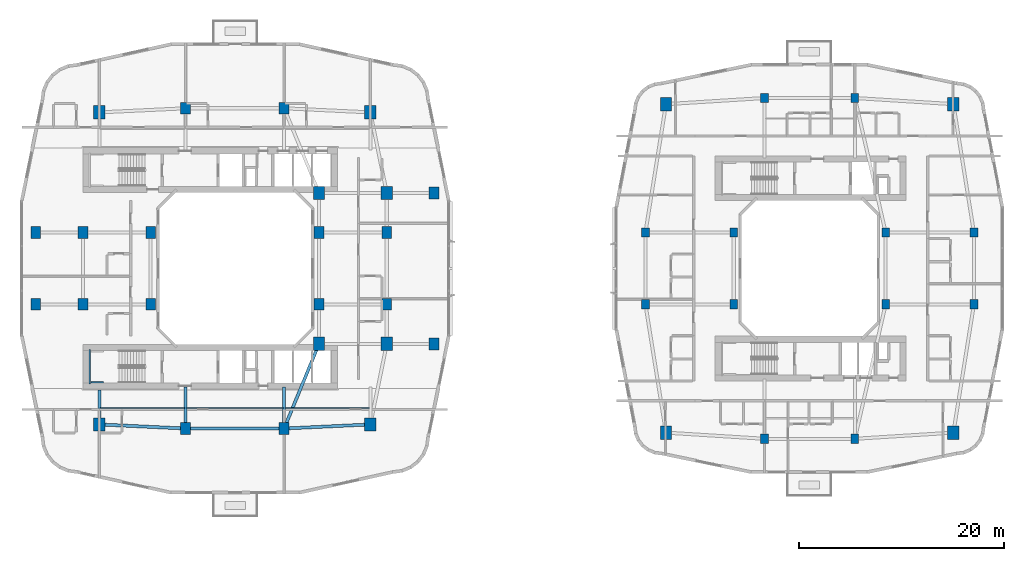
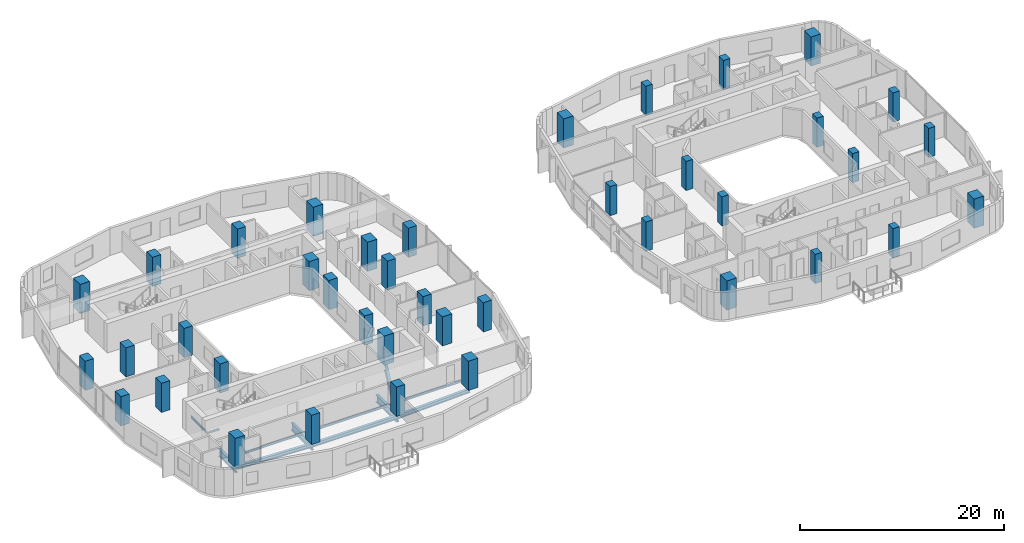
# One storey, part 1 of 22: 40 columns, 12 beams.
"""IFC4 building model written with IfcOpenShell, lengths in metres."""

from ifc_helpers import new_model, si_unit, derived_unit, direction, frame, origin, origin_2d, place, context, subcontext, project, spatial, rectangle, i_section, extrude, material, material_profile, profile_set, type_object, element, save


model = new_model("IFC4")

# Units and contexts
model_context = context("Model", 3, precision=1e-05, world=origin(), true_north=direction((0.0, 1.0)))
body_context = subcontext(model_context, "Body", "Model", "MODEL_VIEW")
ifc_project = project(units=[si_unit("LENGTHUNIT", "METRE"), si_unit("AREAUNIT", "SQUARE_METRE"), si_unit("VOLUMEUNIT", "CUBIC_METRE"), si_unit("PLANEANGLEUNIT", "RADIAN"), si_unit("MASSUNIT", "GRAM", prefix="KILO"), derived_unit("THERMALTRANSMITTANCEUNIT", [(si_unit("POWERUNIT", "WATT"), 1), (si_unit("LENGTHUNIT", "METRE"), -2), (si_unit("THERMODYNAMICTEMPERATUREUNIT", "KELVIN"), -1)])], contexts=[model_context])

# Site, building, storey
site_placement = place(None, origin())
site = spatial("IfcSite", under=ifc_project, at=site_placement, CompositionType="ELEMENT")
building_placement = place(site_placement, origin())
building = spatial("IfcBuilding", under=site, at=building_placement, Name="Kivonza Crest Hotel", CompositionType="ELEMENT")
storey_placement = place(building_placement, frame((0.0, 0.0, 27.5)))
storey = spatial("IfcBuildingStorey", under=building, at=storey_placement, Name="L06", CompositionType="ELEMENT", Elevation=27.5)

# Columns
ifc_material_1 = material(Name="Concrete C60/75", Category="concrete")
ifc_material_profile_1 = material_profile(ifc_material_1, rectangle(XDim=0.949951171875, YDim=1.14990234375, at=origin_2d()), Name="RC 1150x950")
ifc_profile_set_1 = profile_set([ifc_material_profile_1], Name="Concrete C60/75")
column_type_1 = type_object("IfcColumnType", Name="CL-RC-1150x950", PredefinedType="COLUMN", material=ifc_profile_set_1)
for number, where, z_axis, x_axis, name in (
    (1, (16.199951171875, 9.39990234375, 0.0), (0.0, 0.0, 1.0), (1.0, 0.0, 0.0), "Tower T1 L06 column S1"),
    (2, (25.800048828125, 9.39990234375, 0.0), (0.0, 0.0, 1.0), (1.0, 0.0, 0.0), "Tower T1 L06 column S2"),
    (3, (16.199951171875, 40.60009765625, 0.0), (0.0, 0.0, 1.0), (1.0, 0.0, 0.0), "Tower T1 L06 column N1"),
    (4, (25.800048828125, 40.60009765625, 0.0), (0.0, 0.0, 1.0), (1.0, 0.0, 0.0), "Tower T1 L06 column N2"),
    (5, (6.199951171875, 21.5, 0.0), (0.0, 0.0, 1.0), (1.0, 0.0, 0.0), "Tower T1 L06 column W1"),
    (6, (6.199951171875, 28.5, 0.0), (0.0, 0.0, 1.0), (1.0, 0.0, 0.0), "Tower T1 L06 column W2"),
    (7, (35.800048828125, 21.5, 0.0), (0.0, 0.0, 1.0), (1.0, 0.0, 0.0), "Tower T1 L06 column E1"),
    (8, (35.800048828125, 28.5, 0.0), (0.0, 0.0, 1.0), (1.0, 0.0, 0.0), "Tower T1 L06 column E2"),
    (9, (12.800048828125, 21.5, 0.0), (0.0, 0.0, 1.0), (1.0, 0.0, 0.0), "Tower T1 L06 column WL1"),
    (10, (12.800048828125, 28.5, 0.0), (0.0, 0.0, 1.0), (1.0, 0.0, 0.0), "Tower T1 L06 column WL2"),
    (11, (29.199951171875, 21.5, 0.0), (0.0, 0.0, 1.0), (1.0, 0.0, 0.0), "Tower T1 L06 column WR1"),
    (12, (29.199951171875, 28.5, 0.0), (0.0, 0.0, 1.0), (1.0, 0.0, 0.0), "Tower T1 L06 column WR2"),
    (13, (1.60009765625, 21.5, 0.0), (0.0, 0.0, 1.0), (1.0, 0.0, 0.0), "Tower T1 L06 column Z1W1"),
    (14, (1.60009765625, 28.5, 0.0), (0.0, 0.0, 1.0), (1.0, 0.0, 0.0), "Tower T1 L06 column Z1W2"),
    (15, (40.39990234375, 17.64990234375, 0.0), (0.0, 0.0, 1.0), (1.0, 0.0, 0.0), "Tower T1 L06 column Z1E1"),
    (16, (40.39990234375, 32.35009765625, 0.0), (0.0, 0.0, 1.0), (1.0, 0.0, 0.0), "Tower T1 L06 column Z1E2"),
):
    element("IfcColumn", number, at=place(storey_placement, frame(where, z_axis=z_axis, x_axis=x_axis)), inside=storey, type_object=column_type_1, Name=name, PredefinedType="COLUMN", context=body_context, shape_type="SweptSolid", body=[
        extrude(rectangle(XDim=0.949951171875, YDim=1.14990234375, at=origin_2d()), origin(), (0.0, 0.0, 1.0), 3.5),
    ])
ifc_material_profile_2 = material_profile(ifc_material_1, rectangle(XDim=1.10009765625, YDim=1.300048828125, at=origin_2d()), Name="RC 1300x1100")
ifc_profile_set_2 = profile_set([ifc_material_profile_2], Name="Concrete C60/75")
column_type_2 = type_object("IfcColumnType", Name="CL-RC-1300x1100", PredefinedType="COLUMN", material=ifc_profile_set_2)
for number, where, z_axis, x_axis, name in (
    (17, (7.800048828125, 9.800048828125, 0.0), (0.0, 0.0, 1.0), (1.0, 0.0, 0.0), "Tower T1 L06 column SW"),
    (18, (34.199951171875, 9.800048828125, 0.0), (0.0, 0.0, 1.0), (1.0, 0.0, 0.0), "Tower T1 L06 column SE"),
    (19, (34.199951171875, 40.199951171875, 0.0), (0.0, 0.0, 1.0), (1.0, 0.0, 0.0), "Tower T1 L06 column NE"),
    (20, (7.800048828125, 40.199951171875, 0.0), (0.0, 0.0, 1.0), (1.0, 0.0, 0.0), "Tower T1 L06 column NW"),
    (21, (35.800048828125, 17.64990234375, 0.0), (0.0, 0.0, 1.0), (1.0, 0.0, 0.0), "Tower T1 L06 column PSE"),
    (22, (35.800048828125, 32.35009765625, 0.0), (0.0, 0.0, 1.0), (1.0, 0.0, 0.0), "Tower T1 L06 column PNE"),
    (23, (29.199951171875, 17.64990234375, 0.0), (0.0, 0.0, 1.0), (1.0, 0.0, 0.0), "Tower T1 L06 column TSE"),
    (24, (29.199951171875, 32.35009765625, 0.0), (0.0, 0.0, 1.0), (1.0, 0.0, 0.0), "Tower T1 L06 column TNE"),
    (25, (63.0, 9.0, 0.0), (0.0, 0.0, 1.0), (1.0, 0.0, 0.0), "Companion Tower T2 L06 column SW"),
    (26, (91.0, 9.0, 0.0), (0.0, 0.0, 1.0), (1.0, 0.0, 0.0), "Companion Tower T2 L06 column SE"),
    (27, (91.0, 41.0, 0.0), (0.0, 0.0, 1.0), (1.0, 0.0, 0.0), "Companion Tower T2 L06 column NE"),
    (28, (63.0, 41.0, 0.0), (0.0, 0.0, 1.0), (1.0, 0.0, 0.0), "Companion Tower T2 L06 column NW"),
):
    element("IfcColumn", number, at=place(storey_placement, frame(where, z_axis=z_axis, x_axis=x_axis)), inside=storey, type_object=column_type_2, Name=name, PredefinedType="COLUMN", context=body_context, shape_type="SweptSolid", body=[
        extrude(rectangle(XDim=1.10009765625, YDim=1.300048828125, at=origin_2d()), origin(), (0.0, 0.0, 1.0), 3.5),
    ])
ifc_material_2 = material(Name="Concrete C50/60", Category="concrete")
ifc_material_profile_3 = material_profile(ifc_material_2, rectangle(XDim=0.75, YDim=0.89990234375, at=origin_2d()), Name="RC 900x750")
ifc_profile_set_3 = profile_set([ifc_material_profile_3], Name="Concrete C50/60")
column_type_3 = type_object("IfcColumnType", Name="CL-RC-900x750", PredefinedType="COLUMN", material=ifc_profile_set_3)
for number, where, z_axis, x_axis, name in (
    (29, (72.60009765625, 8.39990234375, 0.0), (0.0, 0.0, 1.0), (1.0, 0.0, 0.0), "Companion Tower T2 L06 column S1"),
    (30, (81.39990234375, 8.39990234375, 0.0), (0.0, 0.0, 1.0), (1.0, 0.0, 0.0), "Companion Tower T2 L06 column S2"),
    (31, (72.60009765625, 41.60009765625, 0.0), (0.0, 0.0, 1.0), (1.0, 0.0, 0.0), "Companion Tower T2 L06 column N1"),
    (32, (81.39990234375, 41.60009765625, 0.0), (0.0, 0.0, 1.0), (1.0, 0.0, 0.0), "Companion Tower T2 L06 column N2"),
    (33, (61.0, 21.5, 0.0), (0.0, 0.0, 1.0), (1.0, 0.0, 0.0), "Companion Tower T2 L06 column W1"),
    (34, (61.0, 28.5, 0.0), (0.0, 0.0, 1.0), (1.0, 0.0, 0.0), "Companion Tower T2 L06 column W2"),
    (35, (93.0, 21.5, 0.0), (0.0, 0.0, 1.0), (1.0, 0.0, 0.0), "Companion Tower T2 L06 column E1"),
    (36, (93.0, 28.5, 0.0), (0.0, 0.0, 1.0), (1.0, 0.0, 0.0), "Companion Tower T2 L06 column E2"),
    (37, (69.60009765625, 21.5, 0.0), (0.0, 0.0, 1.0), (1.0, 0.0, 0.0), "Companion Tower T2 L06 column WL1"),
    (38, (69.60009765625, 28.5, 0.0), (0.0, 0.0, 1.0), (1.0, 0.0, 0.0), "Companion Tower T2 L06 column WL2"),
    (39, (84.39990234375, 21.5, 0.0), (0.0, 0.0, 1.0), (1.0, 0.0, 0.0), "Companion Tower T2 L06 column WR1"),
    (40, (84.39990234375, 28.5, 0.0), (0.0, 0.0, 1.0), (1.0, 0.0, 0.0), "Companion Tower T2 L06 column WR2"),
):
    element("IfcColumn", number, at=place(storey_placement, frame(where, z_axis=z_axis, x_axis=x_axis)), inside=storey, type_object=column_type_3, Name=name, PredefinedType="COLUMN", context=body_context, shape_type="SweptSolid", body=[
        extrude(rectangle(XDim=0.75, YDim=0.89990234375, at=origin_2d()), origin(), (0.0, 0.0, 1.0), 3.5),
    ])

# Beams
ifc_material_3 = material(Name="Steel S355", Category="steel")
ifc_material_profile_4 = material_profile(ifc_material_3, i_section(OverallWidth=0.300048828125, OverallDepth=0.449951171875, WebThickness=0.013916015625, FlangeThickness=0.02587890625, FilletRadius=0.027099609375, at=origin_2d()), Name="HEB 450")
ifc_profile_set_4 = profile_set([ifc_material_profile_4], Name="Steel S355")
beam_type_1 = type_object("IfcBeamType", Name="BM-HEB450", PredefinedType="SPANDREL", material=ifc_profile_set_4)
beam_1_placement = place(storey_placement, frame((16.199951171875, 9.39990234375, -0.5048828125), z_axis=(1.0, 0.0, 0.0), x_axis=(0.0, 1.0, 0.0)))
element("IfcBeam", 41, at=beam_1_placement, inside=storey, type_object=beam_type_1, Name="Tower T1 L06 perimeter spandrel S1-S2", PredefinedType="SPANDREL", context=body_context, shape_type="SweptSolid", body=[
    extrude(i_section(OverallWidth=0.300048828125, OverallDepth=0.449951171875, WebThickness=0.013916015625, FlangeThickness=0.02587890625, FilletRadius=0.027099609375, at=origin_2d()), origin(), (0.0, 0.0, 1.0), 9.60009765625),
])
for number, where, z_axis, x_axis, name in (
    (42, (25.800048828125, 9.39990234375, -0.5048828125), (0.998867283688, 0.047583080799, 0.0), (-0.047583080799, 0.998867283688, 0.0), "Tower T1 L06 perimeter spandrel S2-SE"),
    (43, (7.800048828125, 9.800048828125, -0.5048828125), (0.998867283688, -0.047583080799, 0.0), (0.047583080799, 0.998867283688, 0.0), "Tower T1 L06 perimeter spandrel SW-S1"),
):
    element("IfcBeam", number, at=place(storey_placement, frame(where, z_axis=z_axis, x_axis=x_axis)), inside=storey, type_object=beam_type_1, Name=name, PredefinedType="SPANDREL", context=body_context, shape_type="SweptSolid", body=[
        extrude(i_section(OverallWidth=0.300048828125, OverallDepth=0.449951171875, WebThickness=0.013916015625, FlangeThickness=0.02587890625, FilletRadius=0.027099609375, at=origin_2d()), origin(), (0.0, 0.0, 1.0), 8.409423828125),
    ])
ifc_material_profile_5 = material_profile(ifc_material_3, i_section(OverallWidth=0.300048828125, OverallDepth=0.89990234375, WebThickness=0.0185546875, FlangeThickness=0.034912109375, FilletRadius=0.030029296875, at=origin_2d()), Name="HEB 900")
ifc_profile_set_5 = profile_set([ifc_material_profile_5], Name="Steel S355")
beam_type_2 = type_object("IfcBeamType", Name="BM-HEB900", PredefinedType="BEAM", material=ifc_profile_set_5)
beam_2_placement = place(storey_placement, frame((25.800048828125, 9.39990234375, -0.72998046875), z_axis=(0.381022260404, 0.924565864109, 0.0), x_axis=(-0.924565864109, 0.381022260404, 0.0)))
element("IfcBeam", 44, at=beam_2_placement, inside=storey, type_object=beam_type_2, Name="Tower T1 L06 primary girder S1-TSE", PredefinedType="BEAM", context=body_context, shape_type="SweptSolid", body=[
    extrude(i_section(OverallWidth=0.300048828125, OverallDepth=0.89990234375, WebThickness=0.0185546875, FlangeThickness=0.034912109375, FilletRadius=0.030029296875, at=origin_2d()), origin(), (0.0, 0.0, 1.0), 8.923095703125),
])
beam_3_placement = place(storey_placement, frame((7.800048828125, 9.800048828125, -0.72998046875), z_axis=(0.0, 1.0, 0.0), x_axis=(-1.0, 0.0, 0.0)))
element("IfcBeam", 45, at=beam_3_placement, inside=storey, type_object=beam_type_2, Name="Tower T1 L06 radial core girder RSW", PredefinedType="BEAM", context=body_context, shape_type="SweptSolid", body=[
    extrude(i_section(OverallWidth=0.300048828125, OverallDepth=0.89990234375, WebThickness=0.0185546875, FlangeThickness=0.034912109375, FilletRadius=0.030029296875, at=origin_2d()), origin(), (0.0, 0.0, 1.0), 3.349853515625),
])
for number, where, z_axis, x_axis, name in (
    (46, (16.199951171875, 9.39990234375, -0.72998046875), (0.0, 1.0, 0.0), (-1.0, 0.0, 0.0), "Tower T1 L06 radial core girder RS1"),
    (47, (25.800048828125, 9.39990234375, -0.72998046875), (0.0, 1.0, 0.0), (-1.0, 0.0, 0.0), "Tower T1 L06 radial core girder RS2"),
):
    element("IfcBeam", number, at=place(storey_placement, frame(where, z_axis=z_axis, x_axis=x_axis)), inside=storey, type_object=beam_type_2, Name=name, PredefinedType="BEAM", context=body_context, shape_type="SweptSolid", body=[
        extrude(i_section(OverallWidth=0.300048828125, OverallDepth=0.89990234375, WebThickness=0.0185546875, FlangeThickness=0.034912109375, FilletRadius=0.030029296875, at=origin_2d()), origin(), (0.0, 0.0, 1.0), 4.050048828125),
    ])
ifc_material_profile_6 = material_profile(ifc_material_3, i_section(OverallWidth=0.1201171875, OverallDepth=0.239990234375, WebThickness=0.006103515625, FlangeThickness=0.009765625, FilletRadius=0.014892578125, at=origin_2d()), Name="IPE 240")
ifc_profile_set_6 = profile_set([ifc_material_profile_6], Name="Steel S355")
beam_type_3 = type_object("IfcBeamType", Name="BM-IPE240", PredefinedType="JOIST", material=ifc_profile_set_6)
beam_4_placement = place(storey_placement, frame((7.8798828125, 11.39990234375, -0.39990234375), z_axis=(1.0, 0.0, 0.0), x_axis=(0.0, 1.0, 0.0)))
element("IfcBeam", 48, at=beam_4_placement, inside=storey, type_object=beam_type_3, Name="Tower T1 L06 South-West floor joist", PredefinedType="JOIST", context=body_context, shape_type="SweptSolid", body=[
    extrude(i_section(OverallWidth=0.1201171875, OverallDepth=0.239990234375, WebThickness=0.006103515625, FlangeThickness=0.009765625, FilletRadius=0.014892578125, at=origin_2d()), origin(), (0.0, 0.0, 1.0), 8.240234375),
])
beam_5_placement = place(storey_placement, frame((16.280029296875, 11.39990234375, -0.39990234375), z_axis=(1.0, 0.0, 0.0), x_axis=(0.0, 1.0, 0.0)))
element("IfcBeam", 49, at=beam_5_placement, inside=storey, type_object=beam_type_3, Name="Tower T1 L06 South-Mid floor joist", PredefinedType="JOIST", context=body_context, shape_type="SweptSolid", body=[
    extrude(i_section(OverallWidth=0.1201171875, OverallDepth=0.239990234375, WebThickness=0.006103515625, FlangeThickness=0.009765625, FilletRadius=0.014892578125, at=origin_2d()), origin(), (0.0, 0.0, 1.0), 9.43994140625),
])
beam_6_placement = place(storey_placement, frame((25.8798828125, 11.39990234375, -0.39990234375), z_axis=(1.0, 0.0, 0.0), x_axis=(0.0, 1.0, 0.0)))
element("IfcBeam", 50, at=beam_6_placement, inside=storey, type_object=beam_type_3, Name="Tower T1 L06 South-East floor joist", PredefinedType="JOIST", context=body_context, shape_type="SweptSolid", body=[
    extrude(i_section(OverallWidth=0.1201171875, OverallDepth=0.239990234375, WebThickness=0.006103515625, FlangeThickness=0.009765625, FilletRadius=0.014892578125, at=origin_2d()), origin(), (0.0, 0.0, 1.0), 8.240234375),
])
ifc_material_profile_7 = material_profile(ifc_material_3, i_section(OverallWidth=0.1201171875, OverallDepth=0.239990234375, WebThickness=0.006103515625, FlangeThickness=0.009765625, FilletRadius=0.014892578125, at=origin_2d()), Name="IPE 240")
ifc_profile_set_7 = profile_set([ifc_material_profile_7], Name="Steel S355")
beam_type_4 = type_object("IfcBeamType", Name="BM-LLDG-240", PredefinedType="BEAM", material=ifc_profile_set_7)
beam_7_placement = place(storey_placement, frame((6.860107421875, 13.739990234375, 1.429931640625), z_axis=(0.0, 1.0, 0.0), x_axis=(-1.0, 0.0, 0.0)))
element("IfcBeam", 51, at=beam_7_placement, inside=storey, type_object=beam_type_4, Name="Stair ST-T1-S L06 West landing corbel", PredefinedType="BEAM", context=body_context, shape_type="SweptSolid", body=[
    extrude(i_section(OverallWidth=0.1201171875, OverallDepth=0.239990234375, WebThickness=0.006103515625, FlangeThickness=0.009765625, FilletRadius=0.014892578125, at=origin_2d()), origin(), (0.0, 0.0, 1.0), 3.360107421875),
])
beam_8_placement = place(storey_placement, frame((6.989990234375, 13.89990234375, 1.429931640625), z_axis=(1.0, 0.0, 0.0), x_axis=(0.0, 1.0, 0.0)))
element("IfcBeam", 52, at=beam_8_placement, inside=storey, type_object=beam_type_4, Name="Stair ST-T1-S L06 South landing corbel", PredefinedType="BEAM", context=body_context, shape_type="SweptSolid", body=[
    extrude(i_section(OverallWidth=0.1201171875, OverallDepth=0.239990234375, WebThickness=0.006103515625, FlangeThickness=0.009765625, FilletRadius=0.014892578125, at=origin_2d()), origin(), (0.0, 0.0, 1.0), 1.2099609375),
])

save(model, "model.ifc")
